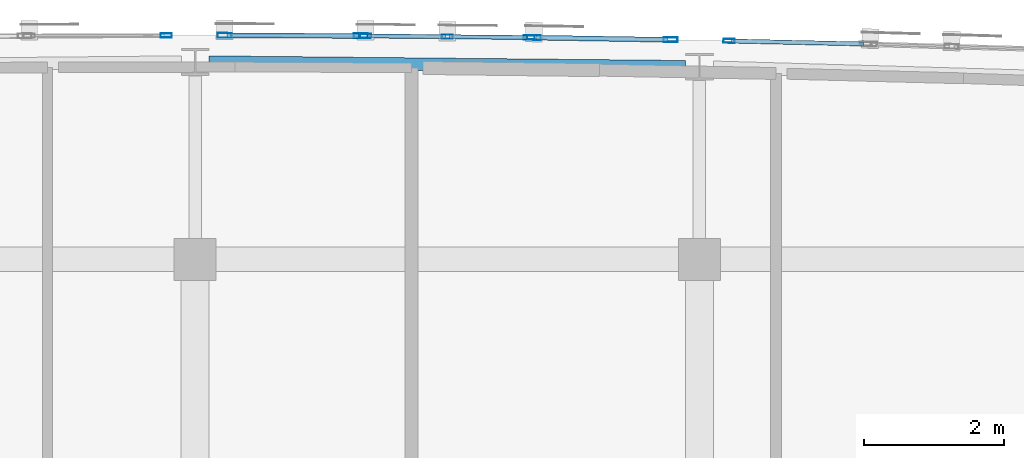
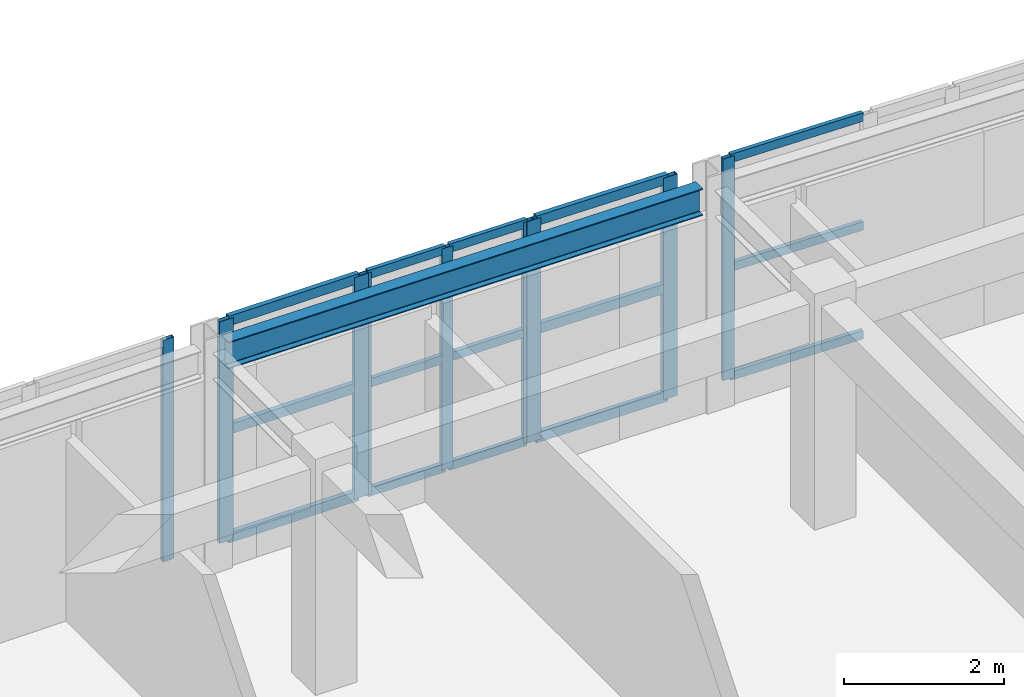
# One storey, part 17 of 41: 24 members, 1 beam, 5 elements without a shape of their own.
"""IFC4 building model written with IfcOpenShell, lengths in metres."""

import ifcopenshell
import ifcopenshell.guid

model = None  # the IFC model being written
_history = None  # IfcOwnerHistory: only IFC2X3 demands one
_inside = {}  # id of a spatial element -> (the spatial element, [elements in it])
_under = {}  # id of a project, library or spatial element -> (it, [spatial elements below it])
_declared = {}  # id of a project -> (the project, [libraries it declares])
_typed = {}  # id of a type object -> (the type object, [elements of that type])
_made_of = {}  # id of a material, layer set ... -> (it, [elements and type objects made of it])


def new_model(schema):
    """Start an empty IFC model of exactly this schema.

    Asked for "IFC4X3", IfcOpenShell would pick the latest addendum, in which some entities
    have other attributes; the version numbers below select the first issue.
    IFC2X3 requires an IfcOwnerHistory on every rooted entity: one is made here for all.
    """
    global model, _history
    if schema == "IFC4X3":
        model = ifcopenshell.file(schema_version=(4, 3, 0, 0))
    else:
        model = ifcopenshell.file(schema=schema)
    _inside.clear()
    _under.clear()
    _declared.clear()
    _typed.clear()
    _made_of.clear()
    _history = None
    if model.schema == "IFC2X3":
        org = make("IfcOrganization", Name="unknown")
        user = make(
            "IfcPersonAndOrganization",
            ThePerson=make("IfcPerson", FamilyName="unknown"),
            TheOrganization=org,
        )
        app = make(
            "IfcApplication",
            ApplicationDeveloper=org,
            Version="unknown",
            ApplicationFullName="unknown",
            ApplicationIdentifier="unknown",
        )
        _history = make(
            "IfcOwnerHistory",
            OwningUser=user,
            OwningApplication=app,
            ChangeAction="ADDED",
            CreationDate=0,
        )
    return model


def make(cls, **values):
    """One entity of the class cls with the attributes given. An attribute that is None is left unset."""
    return model.create_entity(
        cls, **{name: value for name, value in values.items() if value is not None}
    )


def rooted(cls, **values):
    """An entity with a GlobalId (a new one), such as an element, a storey or a relation."""
    return make(cls, GlobalId=ifcopenshell.guid.new(), OwnerHistory=_history, **values)


def si_unit(unit_type, name, prefix=None):
    """IfcSIUnit, for example si_unit("LENGTHUNIT", "METRE", prefix="MILLI")."""
    return make("IfcSIUnit", UnitType=unit_type, Prefix=prefix, Name=name)


def assignment(units):
    """IfcUnitAssignment: the units of a project."""
    return None if units is None else make("IfcUnitAssignment", Units=units)


def point(xyz):
    """IfcCartesianPoint."""
    return None if xyz is None else make("IfcCartesianPoint", Coordinates=xyz)


def direction(xyz):
    """IfcDirection."""
    return None if xyz is None else make("IfcDirection", DirectionRatios=xyz)


def frame(location, z_axis=None, x_axis=None):
    """IfcAxis2Placement3D, a coordinate frame: its origin and axes. An axis left out is left unset."""
    return make(
        "IfcAxis2Placement3D",
        Location=point(location),
        Axis=direction(z_axis),
        RefDirection=direction(x_axis),
    )


def frame_2d(location, x_axis=None):
    """IfcAxis2Placement2D, a coordinate frame in the plane: its origin and x axis."""
    return make(
        "IfcAxis2Placement2D", Location=point(location), RefDirection=direction(x_axis)
    )


def origin():
    """The frame at (0, 0, 0) with its axes left unset."""
    return frame((0.0, 0.0, 0.0))


def origin_2d():
    """The frame at (0, 0) in the plane with its x axis left unset."""
    return frame_2d((0.0, 0.0))


def place(relative_to, where):
    """IfcLocalPlacement: puts the frame where relative to a parent placement (None: the world)."""
    return make(
        "IfcLocalPlacement", PlacementRelTo=relative_to, RelativePlacement=where
    )


def context(
    kind, dimensions, precision=None, world=None, true_north=None, identifier=None
):
    """IfcGeometricRepresentationContext, for example the 3D "Model" context."""
    return make(
        "IfcGeometricRepresentationContext",
        ContextIdentifier=identifier,
        ContextType=kind,
        CoordinateSpaceDimension=dimensions,
        Precision=precision,
        WorldCoordinateSystem=world,
        TrueNorth=true_north,
    )


def subcontext(parent, identifier, kind, view, scale=None):
    """IfcGeometricRepresentationSubContext, for example "Body" below "Model"."""
    return make(
        "IfcGeometricRepresentationSubContext",
        ContextIdentifier=identifier,
        ContextType=kind,
        ParentContext=parent,
        TargetScale=scale,
        TargetView=view,
    )


def project(units=None, contexts=None):
    """IfcProject with its units and contexts."""
    return rooted(
        "IfcProject",
        Name="project",
        RepresentationContexts=contexts,
        UnitsInContext=assignment(units),
    )


def spatial(cls, under=None, at=None, **own):
    """A site, building, storey or space (cls), placed at a placement, below another one or the project."""
    s = rooted(cls, ObjectPlacement=at, **own)
    if under is not None:
        _under.setdefault(under.id(), (under, []))[1].append(s)
    return s


def profile(cls, at=None, kind="AREA", **sizes):
    """A parametric profile (cls). Its sizes go by their IFC names, for example OverallWidth=200.0."""
    return make(cls, ProfileType=kind, Position=at, **sizes)


def hollow_rectangle(**sizes):
    """IfcRectangleHollowProfileDef."""
    return profile("IfcRectangleHollowProfileDef", **sizes)


def i_section(**sizes):
    """IfcIShapeProfileDef."""
    return profile("IfcIShapeProfileDef", **sizes)


def extrude(swept, where, along, depth):
    """IfcExtrudedAreaSolid: the profile swept, set in the frame where, extruded along a direction by depth."""
    return make(
        "IfcExtrudedAreaSolid",
        SweptArea=swept,
        Position=where,
        ExtrudedDirection=direction(along),
        Depth=depth,
    )


def shape(context_of_items, identifier, shape_type, items):
    """IfcShapeRepresentation: the items that make up one representation, for example the "Body"."""
    return make(
        "IfcShapeRepresentation",
        ContextOfItems=context_of_items,
        RepresentationIdentifier=identifier,
        RepresentationType=shape_type,
        Items=items,
    )


def material(Name=None, Category=None):
    """IfcMaterial."""
    return make("IfcMaterial", Name=Name, Category=Category)


def layer(
    of_material, thickness, ventilated=None, Name=None, Category=None, Priority=None
):
    """IfcMaterialLayer: one layer of a wall or slab, of a material (None: an air gap)."""
    return make(
        "IfcMaterialLayer",
        Material=of_material,
        LayerThickness=thickness,
        IsVentilated=ventilated,
        Name=Name,
        Category=Category,
        Priority=Priority,
    )


def layer_set(layers, Name=None):
    """IfcMaterialLayerSet."""
    return make("IfcMaterialLayerSet", MaterialLayers=layers, LayerSetName=Name)


def material_profile(
    of_material, cross_section, Name=None, Category=None, Priority=None
):
    """IfcMaterialProfile: a cross section and its material."""
    return make(
        "IfcMaterialProfile",
        Name=Name,
        Material=of_material,
        Profile=cross_section,
        Priority=Priority,
        Category=Category,
    )


def profile_set(profiles, Name=None, composite=None):
    """IfcMaterialProfileSet."""
    return make(
        "IfcMaterialProfileSet",
        Name=Name,
        MaterialProfiles=profiles,
        CompositeProfile=composite,
    )


def made_of(thing, what):
    """Note that an element or type object is made of a material, layer set ...; save() writes the relation."""
    if what is not None:
        _made_of.setdefault(what.id(), (what, []))[1].append(thing)
    return thing


def type_object(cls, material=None, **own):
    """A type object (cls), such as IfcWallType, which elements share."""
    return made_of(rooted(cls, **own), material)


def element(
    cls,
    number,
    at=None,
    inside=None,
    cuts=None,
    type_object=None,
    material=None,
    context=None,
    identifier="Body",
    shape_type=None,
    held_by="IfcProductDefinitionShape",
    body=None,
    shapes=None,
    **own,
):
    """One element of the class cls, such as IfcWall. Its Tag is "e" and its number.

    at: its placement. inside: the storey or other place that contains it. cuts: it is an
    opening in that element (IfcRelVoidsElement). A single representation is given by context,
    identifier, shape_type and body (its items); several are given by shapes. held_by: the class
    of the entity that holds the representations. save() writes the other relations.
    """
    e = rooted(cls, Tag="e%d" % number, ObjectPlacement=at, **own)
    if body is not None:
        shapes = [shape(context, identifier, shape_type, body)]
    if shapes is not None:
        e.Representation = make(held_by, Representations=shapes)
    if inside is not None:
        _inside.setdefault(inside.id(), (inside, []))[1].append(e)
    if cuts is not None:
        rooted(
            "IfcRelVoidsElement", RelatingBuildingElement=cuts, RelatedOpeningElement=e
        )
    if type_object is not None:
        _typed.setdefault(type_object.id(), (type_object, []))[1].append(e)
    return made_of(e, material)


def aggregate(whole, parts):
    """IfcRelAggregates: a whole, such as a stair, and the parts it consists of."""
    return rooted("IfcRelAggregates", RelatingObject=whole, RelatedObjects=parts)


def save(model, path):
    """Write the relations noted so far, then the file.

    IfcRelAggregates (storeys below a building ...), IfcRelContainedInSpatialStructure (elements
    in a storey), IfcRelDefinesByType, IfcRelAssociatesMaterial and IfcRelDeclares: one each for
    every whole, place, type object, material and project.
    """
    for whole, parts in _under.values():
        aggregate(whole, parts)
    for where, things in _inside.values():
        rooted(
            "IfcRelContainedInSpatialStructure",
            RelatedElements=things,
            RelatingStructure=where,
        )
    for kind, things in _typed.values():
        rooted("IfcRelDefinesByType", RelatedObjects=things, RelatingType=kind)
    for what, things in _made_of.values():
        rooted("IfcRelAssociatesMaterial", RelatedObjects=things, RelatingMaterial=what)
    for by, libraries in _declared.values():
        rooted("IfcRelDeclares", RelatingContext=by, RelatedDefinitions=libraries)
    model.write(path)


model = new_model("IFC4")

# Units and contexts
model_context = context("Model", 3, precision=1e-05, world=origin(), true_north=direction((0.0, 1.0)))
body_context = subcontext(model_context, "Body", "Model", "MODEL_VIEW")
ifc_project = project(units=[si_unit("LENGTHUNIT", "METRE"), si_unit("AREAUNIT", "SQUARE_METRE"), si_unit("VOLUMEUNIT", "CUBIC_METRE"), si_unit("PLANEANGLEUNIT", "RADIAN"), si_unit("MASSUNIT", "GRAM", prefix="KILO")], contexts=[model_context])

# Site, building, storey
site_placement = place(None, origin())
site = spatial("IfcSite", under=ifc_project, at=site_placement, CompositionType="ELEMENT")
building_placement = place(site_placement, origin())
building = spatial("IfcBuilding", under=site, at=building_placement, Name="Carrowvane Square Congress Hotel", CompositionType="ELEMENT")
storey_placement = place(building_placement, frame((0.0, 0.0, 37.199951171875)))
storey = spatial("IfcBuildingStorey", under=building, at=storey_placement, Name="L09", CompositionType="ELEMENT", Elevation=37.199951171875)

# Beam
ifc_material_1 = material(Name="Steel S355", Category="steel")
ifc_material_profile_1 = material_profile(ifc_material_1, i_section(OverallWidth=0.1787109375, OverallDepth=0.409423828125, WebThickness=0.0087890625, FlangeThickness=0.014404296875, FilletRadius=0.01025390625, at=origin_2d()), Name="UKB 406x178x67")
ifc_profile_set_1 = profile_set([ifc_material_profile_1], Name="Steel S355")
beam_type = type_object("IfcBeamType", Name="BM-ST-UKB406", PredefinedType="BEAM", material=ifc_profile_set_1)
beam_placement = place(storey_placement, frame((98.197509765625, 116.218017578125, 3.17529296875), z_axis=(0.99995239219, -0.009757733037, 0.0), x_axis=(0.009757733037, 0.99995239219, 0.0)))
element("IfcBeam", 1, at=beam_placement, inside=storey, type_object=beam_type, Name="L10 curved north spandrel", PredefinedType="BEAM", context=body_context, shape_type="SweptSolid", body=[
    extrude(i_section(OverallWidth=0.1787109375, OverallDepth=0.409423828125, WebThickness=0.0087890625, FlangeThickness=0.014404296875, FilletRadius=0.01025390625, at=origin_2d()), origin(), (0.0, 0.0, 1.0), 6.805419921875),
])

# Curtain wall, member
ifc_material_2 = material(Name="Anodised aluminium", Category="aluminium")
ifc_layer_1 = layer(ifc_material_2, 0.18603515625)
ifc_layer_set_1 = layer_set([ifc_layer_1], Name="Anodised aluminium")
curtain_wall_type_1 = type_object("IfcCurtainWallType", Name="CW-SYS-3", PredefinedType="NOTDEFINED", material=ifc_layer_set_1)
curtain_wall_1_placement = place(storey_placement, origin())
curtain_wall_1 = element("IfcCurtainWall", 2, at=curtain_wall_1_placement, inside=storey, type_object=curtain_wall_type_1, Name="L09 unitised curtain wall 530", PredefinedType="NOTDEFINED")
ifc_material_3 = material(Name="Anodised aluminium", Category="aluminium")
ifc_material_profile_2 = material_profile(ifc_material_3, hollow_rectangle(XDim=0.06005859375, YDim=0.159912109375, WallThickness=0.00390625, at=origin_2d()), Name="CW-ML 60x160x4")
ifc_profile_set_2 = profile_set([ifc_material_profile_2], Name="Anodised aluminium")
member_type_1 = type_object("IfcMemberType", Name="CW-MUL-1", PredefinedType="MULLION", material=ifc_profile_set_2)
member_1_placement = place(storey_placement, frame((97.585205078125, 116.5986328125, 0.0), z_axis=(0.0, 0.0, 1.0), x_axis=(-0.003270307911, 0.999994652529, 0.0)))
member_1 = element("IfcMember", 3, at=member_1_placement, type_object=member_type_1, Name="CW-3 mullion 2", PredefinedType="MULLION", context=body_context, shape_type="SweptSolid", body=[
    extrude(hollow_rectangle(XDim=0.06005859375, YDim=0.159912109375, WallThickness=0.00390625, at=origin_2d()), origin(), (0.0, 0.0, 1.0), 3.380126953125),
])
aggregate(curtain_wall_1, [member_1])

# Curtain wall, members
ifc_material_4 = material(Name="Anodised aluminium", Category="aluminium")
ifc_layer_2 = layer(ifc_material_4, 0.2099609375)
ifc_layer_set_2 = layer_set([ifc_layer_2], Name="Anodised aluminium")
curtain_wall_type_2 = type_object("IfcCurtainWallType", Name="CW-SYS-5", PredefinedType="NOTDEFINED", material=ifc_layer_set_2)
curtain_wall_2_placement = place(storey_placement, origin())
curtain_wall_2 = element("IfcCurtainWall", 4, at=curtain_wall_2_placement, inside=storey, type_object=curtain_wall_type_2, Name="L09 unitised curtain wall 532", PredefinedType="NOTDEFINED")
member_2_placement = place(storey_placement, frame((100.429931640625, 116.591796875, 0.0), z_axis=(0.0, 0.0, 1.0), x_axis=(0.009782905924, 0.999952146231, 0.0)))
member_2 = element("IfcMember", 5, at=member_2_placement, type_object=member_type_1, Name="CW-5 mullion 1", PredefinedType="MULLION", context=body_context, shape_type="SweptSolid", body=[
    extrude(hollow_rectangle(XDim=0.06005859375, YDim=0.159912109375, WallThickness=0.00390625, at=origin_2d()), origin(), (0.0, 0.0, 1.0), 3.380126953125),
])
member_3_placement = place(storey_placement, frame((101.60009765625, 116.580322265625, 0.0), z_axis=(0.0, 0.0, 1.0), x_axis=(0.009782905924, 0.999952146231, 0.0)))
member_3 = element("IfcMember", 6, at=member_3_placement, type_object=member_type_1, Name="CW-5 mullion 2", PredefinedType="MULLION", context=body_context, shape_type="SweptSolid", body=[
    extrude(hollow_rectangle(XDim=0.06005859375, YDim=0.159912109375, WallThickness=0.00390625, at=origin_2d()), origin(), (0.0, 0.0, 1.0), 3.380126953125),
])
member_4_placement = place(storey_placement, frame((102.77001953125, 116.56884765625, 0.0), z_axis=(0.0, 0.0, 1.0), x_axis=(0.009782905924, 0.999952146231, 0.0)))
member_4 = element("IfcMember", 7, at=member_4_placement, type_object=member_type_1, Name="CW-5 mullion 3", PredefinedType="MULLION", context=body_context, shape_type="SweptSolid", body=[
    extrude(hollow_rectangle(XDim=0.06005859375, YDim=0.159912109375, WallThickness=0.00390625, at=origin_2d()), origin(), (0.0, 0.0, 1.0), 3.380126953125),
])

# Curtain wall, member
ifc_material_5 = material(Name="Anodised aluminium", Category="aluminium")
ifc_layer_3 = layer(ifc_material_5, 0.23388671875)
ifc_layer_set_3 = layer_set([ifc_layer_3], Name="Anodised aluminium")
curtain_wall_type_3 = type_object("IfcCurtainWallType", Name="CW-SYS-7", PredefinedType="NOTDEFINED", material=ifc_layer_set_3)
curtain_wall_3_placement = place(storey_placement, origin())
curtain_wall_3 = element("IfcCurtainWall", 8, at=curtain_wall_3_placement, inside=storey, type_object=curtain_wall_type_3, Name="L09 unitised curtain wall 534", PredefinedType="NOTDEFINED")
member_5_placement = place(storey_placement, frame((105.622314453125, 116.520263671875, 0.0), z_axis=(0.0, 0.0, 1.0), x_axis=(0.022517686606, 0.99974644475, 0.0)))
member_5 = element("IfcMember", 9, at=member_5_placement, type_object=member_type_1, Name="CW-7 mullion 1", PredefinedType="MULLION", context=body_context, shape_type="SweptSolid", body=[
    extrude(hollow_rectangle(XDim=0.06005859375, YDim=0.159912109375, WallThickness=0.00390625, at=origin_2d()), origin(), (0.0, 0.0, 1.0), 3.380126953125),
])

# Curtain wall, members
ifc_material_6 = material(Name="Anodised aluminium", Category="aluminium")
ifc_layer_4 = layer(ifc_material_6, 0.197998046875)
ifc_layer_set_4 = layer_set([ifc_layer_4], Name="Anodised aluminium")
curtain_wall_type_4 = type_object("IfcCurtainWallType", Name="CW-SYS-4", PredefinedType="NOTDEFINED", material=ifc_layer_set_4)
curtain_wall_4_placement = place(storey_placement, origin())
curtain_wall_4 = element("IfcCurtainWall", 10, at=curtain_wall_4_placement, inside=storey, type_object=curtain_wall_type_4, Name="L09 unitised curtain wall 531", PredefinedType="NOTDEFINED")
ifc_material_7 = material(Name="Anodised aluminium", Category="aluminium")
ifc_material_profile_3 = material_profile(ifc_material_7, hollow_rectangle(XDim=0.070068359375, YDim=0.199951171875, WallThickness=0.0048828125, at=origin_2d()), Name="CW-ML 70x200x5")
ifc_profile_set_3 = profile_set([ifc_material_profile_3], Name="Anodised aluminium")
member_type_2 = type_object("IfcMemberType", Name="CW-MUL-2", PredefinedType="MULLION", material=ifc_profile_set_3)
member_6_placement = place(storey_placement, frame((98.419921875, 116.5986328125, 0.0), z_axis=(0.0, 0.0, 1.0), x_axis=(0.003270307911, 0.999994652529, 0.0)))
member_6 = element("IfcMember", 11, at=member_6_placement, type_object=member_type_2, Name="CW-4 mullion 1", PredefinedType="MULLION", context=body_context, shape_type="SweptSolid", body=[
    extrude(hollow_rectangle(XDim=0.070068359375, YDim=0.199951171875, WallThickness=0.0048828125, at=origin_2d()), origin(), (0.0, 0.0, 1.0), 3.380126953125),
])
member_7_placement = place(storey_placement, frame((100.364990234375, 116.59228515625, 0.0), z_axis=(0.0, 0.0, 1.0), x_axis=(0.003270307911, 0.999994652529, 0.0)))
member_7 = element("IfcMember", 12, at=member_7_placement, type_object=member_type_2, Name="CW-4 mullion 2", PredefinedType="MULLION", context=body_context, shape_type="SweptSolid", body=[
    extrude(hollow_rectangle(XDim=0.070068359375, YDim=0.199951171875, WallThickness=0.0048828125, at=origin_2d()), origin(), (0.0, 0.0, 1.0), 3.380126953125),
])

ifc_material_8 = material(Name="Anodised aluminium", Category="aluminium")
ifc_layer_5 = layer(ifc_material_8, 0.221923828125)
ifc_layer_set_5 = layer_set([ifc_layer_5], Name="Anodised aluminium")
curtain_wall_type_5 = type_object("IfcCurtainWallType", Name="CW-SYS-6", PredefinedType="NOTDEFINED", material=ifc_layer_set_5)
curtain_wall_5_placement = place(storey_placement, origin())
curtain_wall_5 = element("IfcCurtainWall", 13, at=curtain_wall_5_placement, inside=storey, type_object=curtain_wall_type_5, Name="L09 unitised curtain wall 533", PredefinedType="NOTDEFINED")
member_8_placement = place(storey_placement, frame((102.8349609375, 116.568115234375, 0.0), z_axis=(0.0, 0.0, 1.0), x_axis=(0.016215981364, 0.99986851233, 0.0)))
member_8 = element("IfcMember", 14, at=member_8_placement, type_object=member_type_2, Name="CW-6 mullion 1", PredefinedType="MULLION", context=body_context, shape_type="SweptSolid", body=[
    extrude(hollow_rectangle(XDim=0.070068359375, YDim=0.199951171875, WallThickness=0.0048828125, at=origin_2d()), origin(), (0.0, 0.0, 1.0), 3.380126953125),
])
member_9_placement = place(storey_placement, frame((104.787353515625, 116.536376953125, 0.0), z_axis=(0.0, 0.0, 1.0), x_axis=(0.016215981364, 0.99986851233, 0.0)))
member_9 = element("IfcMember", 15, at=member_9_placement, type_object=member_type_2, Name="CW-6 mullion 2", PredefinedType="MULLION", context=body_context, shape_type="SweptSolid", body=[
    extrude(hollow_rectangle(XDim=0.070068359375, YDim=0.199951171875, WallThickness=0.0048828125, at=origin_2d()), origin(), (0.0, 0.0, 1.0), 3.380126953125),
])

# Member
ifc_material_9 = material(Name="Anodised aluminium", Category="aluminium")
ifc_material_profile_4 = material_profile(ifc_material_9, hollow_rectangle(XDim=0.06005859375, YDim=0.1298828125, WallThickness=0.00390625, at=origin_2d()), Name="CW-TR 60x130x4")
ifc_profile_set_4 = profile_set([ifc_material_profile_4], Name="Anodised aluminium")
member_type_3 = type_object("IfcMemberType", Name="CW-TRN-1", PredefinedType="USERDEFINED", material=ifc_profile_set_4)
member_10_placement = place(storey_placement, frame((100.4599609375, 116.591552734375, 0.030029296875), z_axis=(0.99995318393, -0.009676256893, 0.0), x_axis=(0.009676256893, 0.99995318393, 0.0)))
member_10 = element("IfcMember", 16, at=member_10_placement, type_object=member_type_3, Name="CW-5 transom 1.1", ObjectType="TRANSOM", PredefinedType="USERDEFINED", context=body_context, shape_type="SweptSolid", body=[
    extrude(hollow_rectangle(XDim=0.06005859375, YDim=0.1298828125, WallThickness=0.00390625, at=origin_2d()), origin(), (0.0, 0.0, 1.0), 1.110107421875),
])

member_11_placement = place(storey_placement, frame((100.4599609375, 116.591552734375, 1.68994140625), z_axis=(0.99995318393, -0.009676256893, 0.0), x_axis=(0.009676256893, 0.99995318393, 0.0)))
member_11 = element("IfcMember", 17, at=member_11_placement, type_object=member_type_3, Name="CW-5 transom 1.2", ObjectType="TRANSOM", PredefinedType="USERDEFINED", context=body_context, shape_type="SweptSolid", body=[
    extrude(hollow_rectangle(XDim=0.06005859375, YDim=0.1298828125, WallThickness=0.00390625, at=origin_2d()), origin(), (0.0, 0.0, 1.0), 1.110107421875),
])

member_12_placement = place(storey_placement, frame((100.4599609375, 116.591552734375, 3.35009765625), z_axis=(0.99995318393, -0.009676256893, 0.0), x_axis=(0.009676256893, 0.99995318393, 0.0)))
member_12 = element("IfcMember", 18, at=member_12_placement, type_object=member_type_3, Name="CW-5 transom 1.3", ObjectType="TRANSOM", PredefinedType="USERDEFINED", context=body_context, shape_type="SweptSolid", body=[
    extrude(hollow_rectangle(XDim=0.06005859375, YDim=0.1298828125, WallThickness=0.00390625, at=origin_2d()), origin(), (0.0, 0.0, 1.0), 1.110107421875),
])

member_13_placement = place(storey_placement, frame((101.6298828125, 116.580078125, 0.030029296875), z_axis=(0.99995318393, -0.009676256893, 0.0), x_axis=(0.009676256893, 0.99995318393, 0.0)))
member_13 = element("IfcMember", 19, at=member_13_placement, type_object=member_type_3, Name="CW-5 transom 2.1", ObjectType="TRANSOM", PredefinedType="USERDEFINED", context=body_context, shape_type="SweptSolid", body=[
    extrude(hollow_rectangle(XDim=0.06005859375, YDim=0.1298828125, WallThickness=0.00390625, at=origin_2d()), origin(), (0.0, 0.0, 1.0), 1.110107421875),
])

member_14_placement = place(storey_placement, frame((101.6298828125, 116.580078125, 1.68994140625), z_axis=(0.99995318393, -0.009676256893, 0.0), x_axis=(0.009676256893, 0.99995318393, 0.0)))
member_14 = element("IfcMember", 20, at=member_14_placement, type_object=member_type_3, Name="CW-5 transom 2.2", ObjectType="TRANSOM", PredefinedType="USERDEFINED", context=body_context, shape_type="SweptSolid", body=[
    extrude(hollow_rectangle(XDim=0.06005859375, YDim=0.1298828125, WallThickness=0.00390625, at=origin_2d()), origin(), (0.0, 0.0, 1.0), 1.110107421875),
])

member_15_placement = place(storey_placement, frame((101.6298828125, 116.580078125, 3.35009765625), z_axis=(0.99995318393, -0.009676256893, 0.0), x_axis=(0.009676256893, 0.99995318393, 0.0)))
member_15 = element("IfcMember", 21, at=member_15_placement, type_object=member_type_3, Name="CW-5 transom 2.3", ObjectType="TRANSOM", PredefinedType="USERDEFINED", context=body_context, shape_type="SweptSolid", body=[
    extrude(hollow_rectangle(XDim=0.06005859375, YDim=0.1298828125, WallThickness=0.00390625, at=origin_2d()), origin(), (0.0, 0.0, 1.0), 1.110107421875),
])

aggregate(curtain_wall_2, [member_2, member_3, member_4, member_10, member_11, member_12, member_13, member_14, member_15])

member_16_placement = place(storey_placement, frame((105.65234375, 116.51953125, 0.030029296875), z_axis=(0.999746883827, -0.022498183883, 0.0), x_axis=(0.022498183883, 0.999746883827, 0.0)))
member_16 = element("IfcMember", 22, at=member_16_placement, type_object=member_type_3, Name="CW-7 transom 1.1", ObjectType="TRANSOM", PredefinedType="USERDEFINED", context=body_context, shape_type="SweptSolid", body=[
    extrude(hollow_rectangle(XDim=0.06005859375, YDim=0.1298828125, WallThickness=0.00390625, at=origin_2d()), origin(), (0.0, 0.0, 1.0), 1.88818359375),
])

member_17_placement = place(storey_placement, frame((105.65234375, 116.51953125, 1.68994140625), z_axis=(0.999746883827, -0.022498183883, 0.0), x_axis=(0.022498183883, 0.999746883827, 0.0)))
member_17 = element("IfcMember", 23, at=member_17_placement, type_object=member_type_3, Name="CW-7 transom 1.2", ObjectType="TRANSOM", PredefinedType="USERDEFINED", context=body_context, shape_type="SweptSolid", body=[
    extrude(hollow_rectangle(XDim=0.06005859375, YDim=0.1298828125, WallThickness=0.00390625, at=origin_2d()), origin(), (0.0, 0.0, 1.0), 1.88818359375),
])

member_18_placement = place(storey_placement, frame((105.65234375, 116.51953125, 3.35009765625), z_axis=(0.999746883827, -0.022498183883, 0.0), x_axis=(0.022498183883, 0.999746883827, 0.0)))
member_18 = element("IfcMember", 24, at=member_18_placement, type_object=member_type_3, Name="CW-7 transom 1.3", ObjectType="TRANSOM", PredefinedType="USERDEFINED", context=body_context, shape_type="SweptSolid", body=[
    extrude(hollow_rectangle(XDim=0.06005859375, YDim=0.1298828125, WallThickness=0.00390625, at=origin_2d()), origin(), (0.0, 0.0, 1.0), 1.88818359375),
])

aggregate(curtain_wall_3, [member_5, member_16, member_17, member_18])

ifc_material_10 = material(Name="Anodised aluminium", Category="aluminium")
ifc_material_profile_5 = material_profile(ifc_material_10, hollow_rectangle(XDim=0.070068359375, YDim=0.14990234375, WallThickness=0.0048828125, at=origin_2d()), Name="CW-TR 70x150x5")
ifc_profile_set_5 = profile_set([ifc_material_profile_5], Name="Anodised aluminium")
member_type_4 = type_object("IfcMemberType", Name="CW-TRN-2", PredefinedType="USERDEFINED", material=ifc_profile_set_5)
member_19_placement = place(storey_placement, frame((98.454833984375, 116.5986328125, 0.03515625), z_axis=(0.999994271018, -0.003384956522, 0.0), x_axis=(0.003384956522, 0.999994271018, 0.0)))
member_19 = element("IfcMember", 25, at=member_19_placement, type_object=member_type_4, Name="CW-4 transom 1.1", ObjectType="TRANSOM", PredefinedType="USERDEFINED", context=body_context, shape_type="SweptSolid", body=[
    extrude(hollow_rectangle(XDim=0.070068359375, YDim=0.14990234375, WallThickness=0.0048828125, at=origin_2d()), origin(), (0.0, 0.0, 1.0), 1.875244140625),
])

member_20_placement = place(storey_placement, frame((98.454833984375, 116.5986328125, 1.68994140625), z_axis=(0.999994271018, -0.003384956522, 0.0), x_axis=(0.003384956522, 0.999994271018, 0.0)))
member_20 = element("IfcMember", 26, at=member_20_placement, type_object=member_type_4, Name="CW-4 transom 1.2", ObjectType="TRANSOM", PredefinedType="USERDEFINED", context=body_context, shape_type="SweptSolid", body=[
    extrude(hollow_rectangle(XDim=0.070068359375, YDim=0.14990234375, WallThickness=0.0048828125, at=origin_2d()), origin(), (0.0, 0.0, 1.0), 1.875244140625),
])

member_21_placement = place(storey_placement, frame((98.454833984375, 116.5986328125, 3.344970703125), z_axis=(0.999994271018, -0.003384956522, 0.0), x_axis=(0.003384956522, 0.999994271018, 0.0)))
member_21 = element("IfcMember", 27, at=member_21_placement, type_object=member_type_4, Name="CW-4 transom 1.3", ObjectType="TRANSOM", PredefinedType="USERDEFINED", context=body_context, shape_type="SweptSolid", body=[
    extrude(hollow_rectangle(XDim=0.070068359375, YDim=0.14990234375, WallThickness=0.0048828125, at=origin_2d()), origin(), (0.0, 0.0, 1.0), 1.875244140625),
])

aggregate(curtain_wall_4, [member_6, member_7, member_19, member_20, member_21])

member_22_placement = place(storey_placement, frame((102.869873046875, 116.567626953125, 0.03515625), z_axis=(0.999868633981, -0.016208478699, 0.0), x_axis=(0.016208478699, 0.999868633981, 0.0)))
member_22 = element("IfcMember", 28, at=member_22_placement, type_object=member_type_4, Name="CW-6 transom 1.1", ObjectType="TRANSOM", PredefinedType="USERDEFINED", context=body_context, shape_type="SweptSolid", body=[
    extrude(hollow_rectangle(XDim=0.070068359375, YDim=0.14990234375, WallThickness=0.0048828125, at=origin_2d()), origin(), (0.0, 0.0, 1.0), 1.8828125),
])

member_23_placement = place(storey_placement, frame((102.869873046875, 116.567626953125, 1.68994140625), z_axis=(0.999868633981, -0.016208478699, 0.0), x_axis=(0.016208478699, 0.999868633981, 0.0)))
member_23 = element("IfcMember", 29, at=member_23_placement, type_object=member_type_4, Name="CW-6 transom 1.2", ObjectType="TRANSOM", PredefinedType="USERDEFINED", context=body_context, shape_type="SweptSolid", body=[
    extrude(hollow_rectangle(XDim=0.070068359375, YDim=0.14990234375, WallThickness=0.0048828125, at=origin_2d()), origin(), (0.0, 0.0, 1.0), 1.8828125),
])

member_24_placement = place(storey_placement, frame((102.869873046875, 116.567626953125, 3.344970703125), z_axis=(0.999868633981, -0.016208478699, 0.0), x_axis=(0.016208478699, 0.999868633981, 0.0)))
member_24 = element("IfcMember", 30, at=member_24_placement, type_object=member_type_4, Name="CW-6 transom 1.3", ObjectType="TRANSOM", PredefinedType="USERDEFINED", context=body_context, shape_type="SweptSolid", body=[
    extrude(hollow_rectangle(XDim=0.070068359375, YDim=0.14990234375, WallThickness=0.0048828125, at=origin_2d()), origin(), (0.0, 0.0, 1.0), 1.8828125),
])

aggregate(curtain_wall_5, [member_8, member_9, member_22, member_23, member_24])

save(model, "model.ifc")
